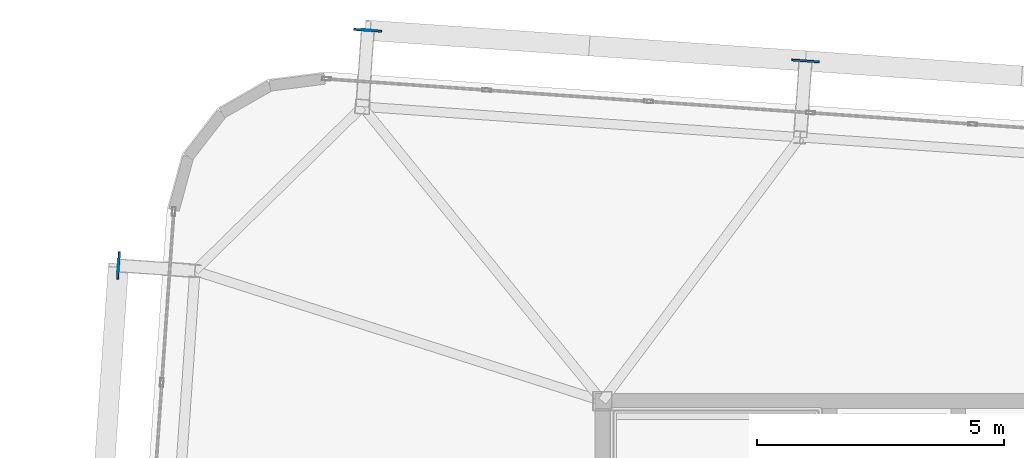
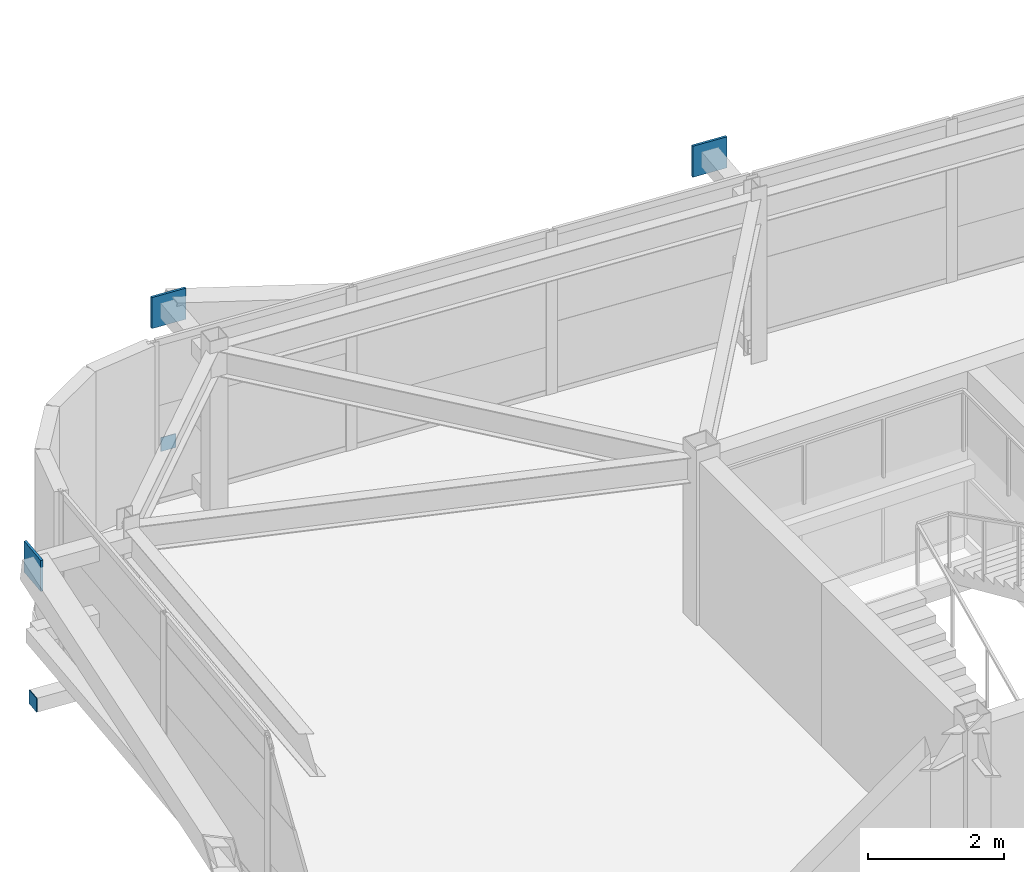
# One storey, part 38 of 47: 5 plates.
"""IFC4 building model written with IfcOpenShell, lengths in metres."""

import ifcopenshell
import ifcopenshell.guid

model = None  # the IFC model being written
_history = None  # IfcOwnerHistory: only IFC2X3 demands one
_inside = {}  # id of a spatial element -> (the spatial element, [elements in it])
_under = {}  # id of a project, library or spatial element -> (it, [spatial elements below it])
_declared = {}  # id of a project -> (the project, [libraries it declares])
_typed = {}  # id of a type object -> (the type object, [elements of that type])
_made_of = {}  # id of a material, layer set ... -> (it, [elements and type objects made of it])


def new_model(schema):
    """Start an empty IFC model of exactly this schema.

    Asked for "IFC4X3", IfcOpenShell would pick the latest addendum, in which some entities
    have other attributes; the version numbers below select the first issue.
    IFC2X3 requires an IfcOwnerHistory on every rooted entity: one is made here for all.
    """
    global model, _history
    if schema == "IFC4X3":
        model = ifcopenshell.file(schema_version=(4, 3, 0, 0))
    else:
        model = ifcopenshell.file(schema=schema)
    _inside.clear()
    _under.clear()
    _declared.clear()
    _typed.clear()
    _made_of.clear()
    _history = None
    if model.schema == "IFC2X3":
        org = make("IfcOrganization", Name="unknown")
        user = make(
            "IfcPersonAndOrganization",
            ThePerson=make("IfcPerson", FamilyName="unknown"),
            TheOrganization=org,
        )
        app = make(
            "IfcApplication",
            ApplicationDeveloper=org,
            Version="unknown",
            ApplicationFullName="unknown",
            ApplicationIdentifier="unknown",
        )
        _history = make(
            "IfcOwnerHistory",
            OwningUser=user,
            OwningApplication=app,
            ChangeAction="ADDED",
            CreationDate=0,
        )
    return model


def make(cls, **values):
    """One entity of the class cls with the attributes given. An attribute that is None is left unset."""
    return model.create_entity(
        cls, **{name: value for name, value in values.items() if value is not None}
    )


def rooted(cls, **values):
    """An entity with a GlobalId (a new one), such as an element, a storey or a relation."""
    return make(cls, GlobalId=ifcopenshell.guid.new(), OwnerHistory=_history, **values)


def si_unit(unit_type, name, prefix=None):
    """IfcSIUnit, for example si_unit("LENGTHUNIT", "METRE", prefix="MILLI")."""
    return make("IfcSIUnit", UnitType=unit_type, Prefix=prefix, Name=name)


def assignment(units):
    """IfcUnitAssignment: the units of a project."""
    return None if units is None else make("IfcUnitAssignment", Units=units)


def point(xyz):
    """IfcCartesianPoint."""
    return None if xyz is None else make("IfcCartesianPoint", Coordinates=xyz)


def direction(xyz):
    """IfcDirection."""
    return None if xyz is None else make("IfcDirection", DirectionRatios=xyz)


def frame(location, z_axis=None, x_axis=None):
    """IfcAxis2Placement3D, a coordinate frame: its origin and axes. An axis left out is left unset."""
    return make(
        "IfcAxis2Placement3D",
        Location=point(location),
        Axis=direction(z_axis),
        RefDirection=direction(x_axis),
    )


def frame_2d(location, x_axis=None):
    """IfcAxis2Placement2D, a coordinate frame in the plane: its origin and x axis."""
    return make(
        "IfcAxis2Placement2D", Location=point(location), RefDirection=direction(x_axis)
    )


def origin():
    """The frame at (0, 0, 0) with its axes left unset."""
    return frame((0.0, 0.0, 0.0))


def origin_2d():
    """The frame at (0, 0) in the plane with its x axis left unset."""
    return frame_2d((0.0, 0.0))


def place(relative_to, where):
    """IfcLocalPlacement: puts the frame where relative to a parent placement (None: the world)."""
    return make(
        "IfcLocalPlacement", PlacementRelTo=relative_to, RelativePlacement=where
    )


def context(
    kind, dimensions, precision=None, world=None, true_north=None, identifier=None
):
    """IfcGeometricRepresentationContext, for example the 3D "Model" context."""
    return make(
        "IfcGeometricRepresentationContext",
        ContextIdentifier=identifier,
        ContextType=kind,
        CoordinateSpaceDimension=dimensions,
        Precision=precision,
        WorldCoordinateSystem=world,
        TrueNorth=true_north,
    )


def subcontext(parent, identifier, kind, view, scale=None):
    """IfcGeometricRepresentationSubContext, for example "Body" below "Model"."""
    return make(
        "IfcGeometricRepresentationSubContext",
        ContextIdentifier=identifier,
        ContextType=kind,
        ParentContext=parent,
        TargetScale=scale,
        TargetView=view,
    )


def project(units=None, contexts=None):
    """IfcProject with its units and contexts."""
    return rooted(
        "IfcProject",
        Name="project",
        RepresentationContexts=contexts,
        UnitsInContext=assignment(units),
    )


def spatial(cls, under=None, at=None, **own):
    """A site, building, storey or space (cls), placed at a placement, below another one or the project."""
    s = rooted(cls, ObjectPlacement=at, **own)
    if under is not None:
        _under.setdefault(under.id(), (under, []))[1].append(s)
    return s


def profile(cls, at=None, kind="AREA", **sizes):
    """A parametric profile (cls). Its sizes go by their IFC names, for example OverallWidth=200.0."""
    return make(cls, ProfileType=kind, Position=at, **sizes)


def rectangle(**sizes):
    """IfcRectangleProfileDef."""
    return profile("IfcRectangleProfileDef", **sizes)


def extrude(swept, where, along, depth):
    """IfcExtrudedAreaSolid: the profile swept, set in the frame where, extruded along a direction by depth."""
    return make(
        "IfcExtrudedAreaSolid",
        SweptArea=swept,
        Position=where,
        ExtrudedDirection=direction(along),
        Depth=depth,
    )


def shape(context_of_items, identifier, shape_type, items):
    """IfcShapeRepresentation: the items that make up one representation, for example the "Body"."""
    return make(
        "IfcShapeRepresentation",
        ContextOfItems=context_of_items,
        RepresentationIdentifier=identifier,
        RepresentationType=shape_type,
        Items=items,
    )


def source(mapping_origin, context_of_items, identifier, shape_type, items):
    """IfcRepresentationMap: a shape defined once, which mapped items show again and again."""
    return make(
        "IfcRepresentationMap",
        MappingOrigin=mapping_origin,
        MappedRepresentation=shape(context_of_items, identifier, shape_type, items),
    )


def transform(
    local_origin,
    x_axis=None,
    y_axis=None,
    z_axis=None,
    scale=None,
    scale2=None,
    scale3=None,
    uniform=True,
):
    """IfcCartesianTransformationOperator3D, or its non-uniform kind. x_axis, y_axis, z_axis: its Axis1, 2, 3."""
    if uniform:
        return make(
            "IfcCartesianTransformationOperator3D",
            Axis1=direction(x_axis),
            Axis2=direction(y_axis),
            LocalOrigin=point(local_origin),
            Scale=scale,
            Axis3=direction(z_axis),
        )
    return make(
        "IfcCartesianTransformationOperator3DnonUniform",
        Axis1=direction(x_axis),
        Axis2=direction(y_axis),
        LocalOrigin=point(local_origin),
        Scale=scale,
        Axis3=direction(z_axis),
        Scale2=scale2,
        Scale3=scale3,
    )


def mapped(mapping_source, mapping_target):
    """IfcMappedItem: shows the shape of a source again, moved by a transform."""
    return make(
        "IfcMappedItem", MappingSource=mapping_source, MappingTarget=mapping_target
    )


def material(Name=None, Category=None):
    """IfcMaterial."""
    return make("IfcMaterial", Name=Name, Category=Category)


def layer(
    of_material, thickness, ventilated=None, Name=None, Category=None, Priority=None
):
    """IfcMaterialLayer: one layer of a wall or slab, of a material (None: an air gap)."""
    return make(
        "IfcMaterialLayer",
        Material=of_material,
        LayerThickness=thickness,
        IsVentilated=ventilated,
        Name=Name,
        Category=Category,
        Priority=Priority,
    )


def layer_set(layers, Name=None):
    """IfcMaterialLayerSet."""
    return make("IfcMaterialLayerSet", MaterialLayers=layers, LayerSetName=Name)


def made_of(thing, what):
    """Note that an element or type object is made of a material, layer set ...; save() writes the relation."""
    if what is not None:
        _made_of.setdefault(what.id(), (what, []))[1].append(thing)
    return thing


def type_object(cls, material=None, **own):
    """A type object (cls), such as IfcWallType, which elements share."""
    return made_of(rooted(cls, **own), material)


def element(
    cls,
    number,
    at=None,
    inside=None,
    cuts=None,
    type_object=None,
    material=None,
    context=None,
    identifier="Body",
    shape_type=None,
    held_by="IfcProductDefinitionShape",
    body=None,
    shapes=None,
    **own,
):
    """One element of the class cls, such as IfcWall. Its Tag is "e" and its number.

    at: its placement. inside: the storey or other place that contains it. cuts: it is an
    opening in that element (IfcRelVoidsElement). A single representation is given by context,
    identifier, shape_type and body (its items); several are given by shapes. held_by: the class
    of the entity that holds the representations. save() writes the other relations.
    """
    e = rooted(cls, Tag="e%d" % number, ObjectPlacement=at, **own)
    if body is not None:
        shapes = [shape(context, identifier, shape_type, body)]
    if shapes is not None:
        e.Representation = make(held_by, Representations=shapes)
    if inside is not None:
        _inside.setdefault(inside.id(), (inside, []))[1].append(e)
    if cuts is not None:
        rooted(
            "IfcRelVoidsElement", RelatingBuildingElement=cuts, RelatedOpeningElement=e
        )
    if type_object is not None:
        _typed.setdefault(type_object.id(), (type_object, []))[1].append(e)
    return made_of(e, material)


def aggregate(whole, parts):
    """IfcRelAggregates: a whole, such as a stair, and the parts it consists of."""
    return rooted("IfcRelAggregates", RelatingObject=whole, RelatedObjects=parts)


def save(model, path):
    """Write the relations noted so far, then the file.

    IfcRelAggregates (storeys below a building ...), IfcRelContainedInSpatialStructure (elements
    in a storey), IfcRelDefinesByType, IfcRelAssociatesMaterial and IfcRelDeclares: one each for
    every whole, place, type object, material and project.
    """
    for whole, parts in _under.values():
        aggregate(whole, parts)
    for where, things in _inside.values():
        rooted(
            "IfcRelContainedInSpatialStructure",
            RelatedElements=things,
            RelatingStructure=where,
        )
    for kind, things in _typed.values():
        rooted("IfcRelDefinesByType", RelatedObjects=things, RelatingType=kind)
    for what, things in _made_of.values():
        rooted("IfcRelAssociatesMaterial", RelatedObjects=things, RelatingMaterial=what)
    for by, libraries in _declared.values():
        rooted("IfcRelDeclares", RelatingContext=by, RelatedDefinitions=libraries)
    model.write(path)


model = new_model("IFC4")

# Units and contexts
model_context = context("Model", 3, precision=1e-05, world=origin(), true_north=direction((0.0, 1.0)))
body_context = subcontext(model_context, "Body", "Model", "MODEL_VIEW")
ifc_project = project(units=[si_unit("LENGTHUNIT", "METRE"), si_unit("AREAUNIT", "SQUARE_METRE"), si_unit("VOLUMEUNIT", "CUBIC_METRE"), si_unit("PLANEANGLEUNIT", "RADIAN"), si_unit("MASSUNIT", "GRAM", prefix="KILO")], contexts=[model_context])

# Site, building, storey
site_placement = place(None, origin())
site = spatial("IfcSite", under=ifc_project, at=site_placement, CompositionType="ELEMENT")
building_placement = place(site_placement, origin())
building = spatial("IfcBuilding", under=site, at=building_placement, Name="Taldren Reach Tower", CompositionType="ELEMENT")
storey_placement = place(building_placement, frame((0.0, 0.0, 142.449951171875)))
storey = spatial("IfcBuildingStorey", under=building, at=storey_placement, Name="L43", CompositionType="ELEMENT", Elevation=142.449951171875)

# Plates
ifc_material_1 = material(Name="Steel Gr 450 (C450L0)", Category="steel")
ifc_layer_1 = layer(ifc_material_1, 0.0400390625)
ifc_layer_set_1 = layer_set([ifc_layer_1], Name="Steel Gr 450 (C450L0)")
plate_type_1 = type_object("IfcPlateType", Name="PL-GUSSET-40", PredefinedType="SHEET", material=ifc_layer_set_1)
shared_shape_1 = source(origin(), body_context, "Body", "SweptSolid", [
    extrude(rectangle(XDim=0.56005859375, YDim=0.0400390625, at=origin_2d()), origin(), (0.0, 0.0, 1.0), 0.56005859375),
])
for number, where, z_axis, x_axis, name in (
    (1, (14.252685546875, 39.5048828125, 2.3701171875), (0.0, 0.0, 1.0), (0.99756405026, -0.069756473744, 0.0), "Exoskeleton star-node gusset plate B3-N1 L43"),
    (2, (23.111083984375, 38.885498046875, 2.3701171875), (0.0, 0.0, 1.0), (0.99756405026, -0.069756473744, 0.0), "Exoskeleton star-node gusset plate B3-N2 L43"),
    (3, (9.20849609375, 34.745361328125, 2.3701171875), (0.0, 0.0, 1.0), (0.069756473744, 0.99756405026, 0.0), "Exoskeleton star-node gusset plate B3-W3 L43"),
):
    element("IfcPlate", number, at=place(storey_placement, frame(where, z_axis=z_axis, x_axis=x_axis)), inside=storey, type_object=plate_type_1, Name=name, PredefinedType="SHEET", context=body_context, shape_type="MappedRepresentation", body=[
        mapped(shared_shape_1, transform((0.0, 0.0, 0.0), scale=1.0)),
    ])
ifc_material_2 = material(Name="Steel Gr 350 (C350L0)", Category="steel")
ifc_layer_2 = layer(ifc_material_2, 0.011962890625)
ifc_layer_set_2 = layer_set([ifc_layer_2], Name="Steel Gr 350 (C350L0)")
plate_type_2 = type_object("IfcPlateType", Name="PL-CAP-250", PredefinedType="SHEET", material=ifc_layer_set_2)
shared_shape_2 = source(origin(), body_context, "Body", "SweptSolid", [
    extrude(rectangle(XDim=0.25, YDim=0.011962890625, at=origin_2d()), origin(), (0.0, 0.0, 1.0), 0.25),
])
plate_1_placement = place(storey_placement, frame((14.253173828125, 39.510986328125, 0.094970703125), z_axis=(0.0, 0.0, 1.0), x_axis=(0.99756405026, -0.069756473744, 0.0)))
element("IfcPlate", 4, at=plate_1_placement, inside=storey, type_object=plate_type_2, Name="Tie strut end cap plate B3-N1 L43", PredefinedType="SHEET", context=body_context, shape_type="MappedRepresentation", body=[
    mapped(shared_shape_2, transform((0.0, 0.0, 0.0), scale=1.0)),
])
shared_shape_3 = source(origin(), body_context, "Body", "SweptSolid", [
    extrude(rectangle(XDim=0.011962890625, YDim=0.25, at=origin_2d()), origin(), (0.0, 0.0, 1.0), 0.25),
])
plate_2_placement = place(storey_placement, frame((9.202392578125, 34.74560546875, 0.094970703125), z_axis=(0.0, 0.0, 1.0), x_axis=(0.99756405026, -0.069756473744, 0.0)))
element("IfcPlate", 5, at=plate_2_placement, inside=storey, type_object=plate_type_2, Name="Tie strut end cap plate B3-W3 L43", PredefinedType="SHEET", context=body_context, shape_type="MappedRepresentation", body=[
    mapped(shared_shape_3, transform((0.0, 0.0, 0.0), scale=1.0)),
])

save(model, "model.ifc")
